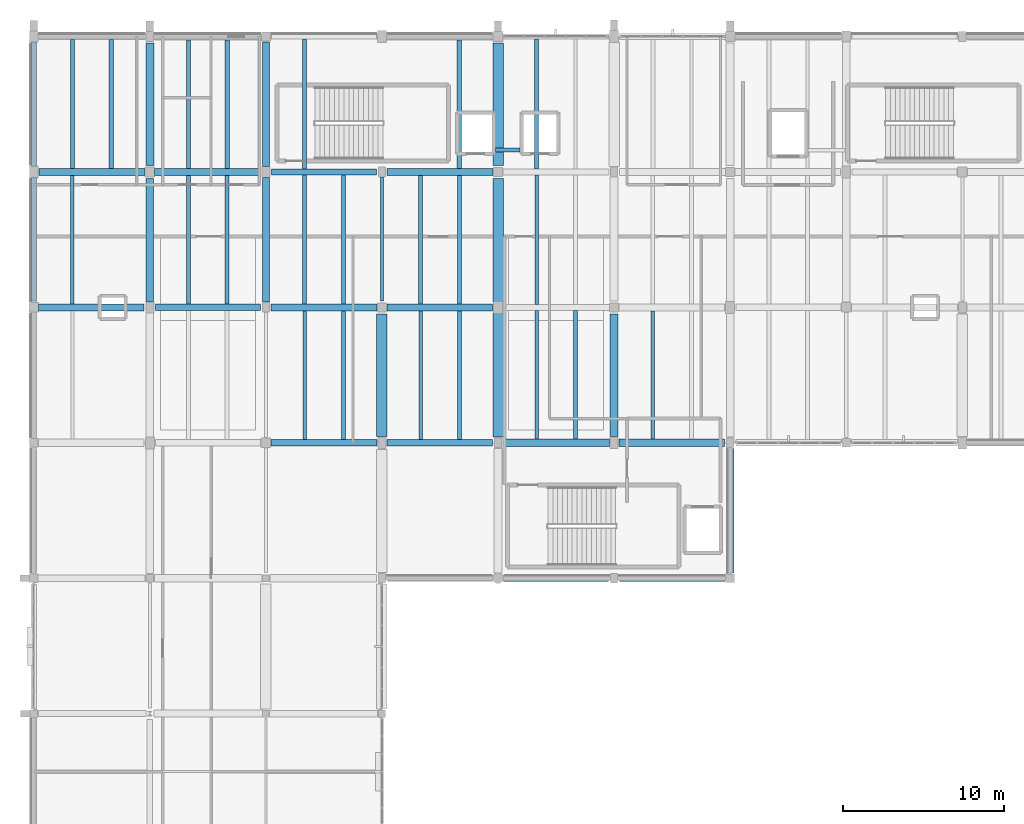
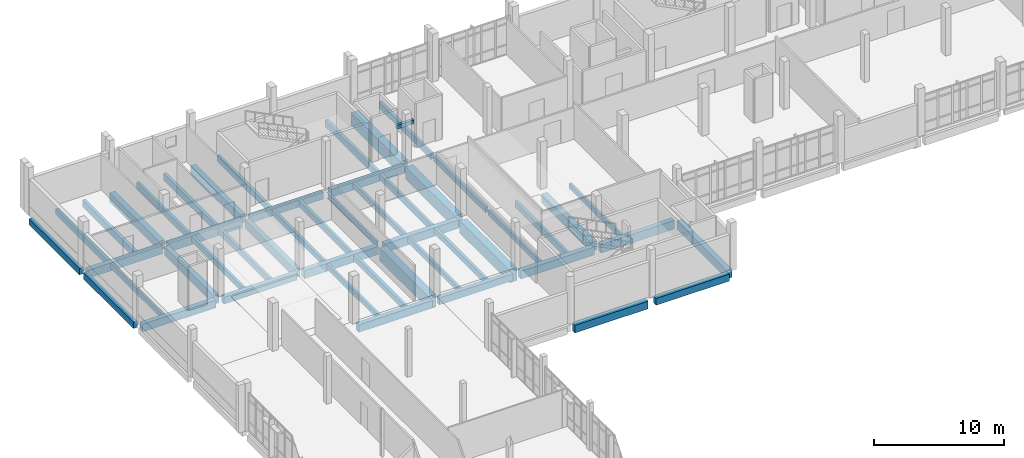
# One storey, part 27 of 62: 50 beams.
"""IFC4 building model written with IfcOpenShell, lengths in metres."""

import ifcopenshell
import ifcopenshell.guid

model = None  # the IFC model being written
_history = None  # IfcOwnerHistory: only IFC2X3 demands one
_inside = {}  # id of a spatial element -> (the spatial element, [elements in it])
_under = {}  # id of a project, library or spatial element -> (it, [spatial elements below it])
_declared = {}  # id of a project -> (the project, [libraries it declares])
_typed = {}  # id of a type object -> (the type object, [elements of that type])
_made_of = {}  # id of a material, layer set ... -> (it, [elements and type objects made of it])


def new_model(schema):
    """Start an empty IFC model of exactly this schema.

    Asked for "IFC4X3", IfcOpenShell would pick the latest addendum, in which some entities
    have other attributes; the version numbers below select the first issue.
    IFC2X3 requires an IfcOwnerHistory on every rooted entity: one is made here for all.
    """
    global model, _history
    if schema == "IFC4X3":
        model = ifcopenshell.file(schema_version=(4, 3, 0, 0))
    else:
        model = ifcopenshell.file(schema=schema)
    _inside.clear()
    _under.clear()
    _declared.clear()
    _typed.clear()
    _made_of.clear()
    _history = None
    if model.schema == "IFC2X3":
        org = make("IfcOrganization", Name="unknown")
        user = make(
            "IfcPersonAndOrganization",
            ThePerson=make("IfcPerson", FamilyName="unknown"),
            TheOrganization=org,
        )
        app = make(
            "IfcApplication",
            ApplicationDeveloper=org,
            Version="unknown",
            ApplicationFullName="unknown",
            ApplicationIdentifier="unknown",
        )
        _history = make(
            "IfcOwnerHistory",
            OwningUser=user,
            OwningApplication=app,
            ChangeAction="ADDED",
            CreationDate=0,
        )
    return model


def make(cls, **values):
    """One entity of the class cls with the attributes given. An attribute that is None is left unset."""
    return model.create_entity(
        cls, **{name: value for name, value in values.items() if value is not None}
    )


def rooted(cls, **values):
    """An entity with a GlobalId (a new one), such as an element, a storey or a relation."""
    return make(cls, GlobalId=ifcopenshell.guid.new(), OwnerHistory=_history, **values)


def si_unit(unit_type, name, prefix=None):
    """IfcSIUnit, for example si_unit("LENGTHUNIT", "METRE", prefix="MILLI")."""
    return make("IfcSIUnit", UnitType=unit_type, Prefix=prefix, Name=name)


def assignment(units):
    """IfcUnitAssignment: the units of a project."""
    return None if units is None else make("IfcUnitAssignment", Units=units)


def point(xyz):
    """IfcCartesianPoint."""
    return None if xyz is None else make("IfcCartesianPoint", Coordinates=xyz)


def direction(xyz):
    """IfcDirection."""
    return None if xyz is None else make("IfcDirection", DirectionRatios=xyz)


def frame(location, z_axis=None, x_axis=None):
    """IfcAxis2Placement3D, a coordinate frame: its origin and axes. An axis left out is left unset."""
    return make(
        "IfcAxis2Placement3D",
        Location=point(location),
        Axis=direction(z_axis),
        RefDirection=direction(x_axis),
    )


def frame_2d(location, x_axis=None):
    """IfcAxis2Placement2D, a coordinate frame in the plane: its origin and x axis."""
    return make(
        "IfcAxis2Placement2D", Location=point(location), RefDirection=direction(x_axis)
    )


def origin():
    """The frame at (0, 0, 0) with its axes left unset."""
    return frame((0.0, 0.0, 0.0))


def origin_2d():
    """The frame at (0, 0) in the plane with its x axis left unset."""
    return frame_2d((0.0, 0.0))


def place(relative_to, where):
    """IfcLocalPlacement: puts the frame where relative to a parent placement (None: the world)."""
    return make(
        "IfcLocalPlacement", PlacementRelTo=relative_to, RelativePlacement=where
    )


def context(
    kind, dimensions, precision=None, world=None, true_north=None, identifier=None
):
    """IfcGeometricRepresentationContext, for example the 3D "Model" context."""
    return make(
        "IfcGeometricRepresentationContext",
        ContextIdentifier=identifier,
        ContextType=kind,
        CoordinateSpaceDimension=dimensions,
        Precision=precision,
        WorldCoordinateSystem=world,
        TrueNorth=true_north,
    )


def subcontext(parent, identifier, kind, view, scale=None):
    """IfcGeometricRepresentationSubContext, for example "Body" below "Model"."""
    return make(
        "IfcGeometricRepresentationSubContext",
        ContextIdentifier=identifier,
        ContextType=kind,
        ParentContext=parent,
        TargetScale=scale,
        TargetView=view,
    )


def project(units=None, contexts=None):
    """IfcProject with its units and contexts."""
    return rooted(
        "IfcProject",
        Name="project",
        RepresentationContexts=contexts,
        UnitsInContext=assignment(units),
    )


def spatial(cls, under=None, at=None, **own):
    """A site, building, storey or space (cls), placed at a placement, below another one or the project."""
    s = rooted(cls, ObjectPlacement=at, **own)
    if under is not None:
        _under.setdefault(under.id(), (under, []))[1].append(s)
    return s


def profile(cls, at=None, kind="AREA", **sizes):
    """A parametric profile (cls). Its sizes go by their IFC names, for example OverallWidth=200.0."""
    return make(cls, ProfileType=kind, Position=at, **sizes)


def rectangle(**sizes):
    """IfcRectangleProfileDef."""
    return profile("IfcRectangleProfileDef", **sizes)


def i_section(**sizes):
    """IfcIShapeProfileDef."""
    return profile("IfcIShapeProfileDef", **sizes)


def extrude(swept, where, along, depth):
    """IfcExtrudedAreaSolid: the profile swept, set in the frame where, extruded along a direction by depth."""
    return make(
        "IfcExtrudedAreaSolid",
        SweptArea=swept,
        Position=where,
        ExtrudedDirection=direction(along),
        Depth=depth,
    )


def shape(context_of_items, identifier, shape_type, items):
    """IfcShapeRepresentation: the items that make up one representation, for example the "Body"."""
    return make(
        "IfcShapeRepresentation",
        ContextOfItems=context_of_items,
        RepresentationIdentifier=identifier,
        RepresentationType=shape_type,
        Items=items,
    )


def material(Name=None, Category=None):
    """IfcMaterial."""
    return make("IfcMaterial", Name=Name, Category=Category)


def material_profile(
    of_material, cross_section, Name=None, Category=None, Priority=None
):
    """IfcMaterialProfile: a cross section and its material."""
    return make(
        "IfcMaterialProfile",
        Name=Name,
        Material=of_material,
        Profile=cross_section,
        Priority=Priority,
        Category=Category,
    )


def profile_set(profiles, Name=None, composite=None):
    """IfcMaterialProfileSet."""
    return make(
        "IfcMaterialProfileSet",
        Name=Name,
        MaterialProfiles=profiles,
        CompositeProfile=composite,
    )


def made_of(thing, what):
    """Note that an element or type object is made of a material, layer set ...; save() writes the relation."""
    if what is not None:
        _made_of.setdefault(what.id(), (what, []))[1].append(thing)
    return thing


def type_object(cls, material=None, **own):
    """A type object (cls), such as IfcWallType, which elements share."""
    return made_of(rooted(cls, **own), material)


def element(
    cls,
    number,
    at=None,
    inside=None,
    cuts=None,
    type_object=None,
    material=None,
    context=None,
    identifier="Body",
    shape_type=None,
    held_by="IfcProductDefinitionShape",
    body=None,
    shapes=None,
    **own,
):
    """One element of the class cls, such as IfcWall. Its Tag is "e" and its number.

    at: its placement. inside: the storey or other place that contains it. cuts: it is an
    opening in that element (IfcRelVoidsElement). A single representation is given by context,
    identifier, shape_type and body (its items); several are given by shapes. held_by: the class
    of the entity that holds the representations. save() writes the other relations.
    """
    e = rooted(cls, Tag="e%d" % number, ObjectPlacement=at, **own)
    if body is not None:
        shapes = [shape(context, identifier, shape_type, body)]
    if shapes is not None:
        e.Representation = make(held_by, Representations=shapes)
    if inside is not None:
        _inside.setdefault(inside.id(), (inside, []))[1].append(e)
    if cuts is not None:
        rooted(
            "IfcRelVoidsElement", RelatingBuildingElement=cuts, RelatedOpeningElement=e
        )
    if type_object is not None:
        _typed.setdefault(type_object.id(), (type_object, []))[1].append(e)
    return made_of(e, material)


def aggregate(whole, parts):
    """IfcRelAggregates: a whole, such as a stair, and the parts it consists of."""
    return rooted("IfcRelAggregates", RelatingObject=whole, RelatedObjects=parts)


def save(model, path):
    """Write the relations noted so far, then the file.

    IfcRelAggregates (storeys below a building ...), IfcRelContainedInSpatialStructure (elements
    in a storey), IfcRelDefinesByType, IfcRelAssociatesMaterial and IfcRelDeclares: one each for
    every whole, place, type object, material and project.
    """
    for whole, parts in _under.values():
        aggregate(whole, parts)
    for where, things in _inside.values():
        rooted(
            "IfcRelContainedInSpatialStructure",
            RelatedElements=things,
            RelatingStructure=where,
        )
    for kind, things in _typed.values():
        rooted("IfcRelDefinesByType", RelatedObjects=things, RelatingType=kind)
    for what, things in _made_of.values():
        rooted("IfcRelAssociatesMaterial", RelatedObjects=things, RelatingMaterial=what)
    for by, libraries in _declared.values():
        rooted("IfcRelDeclares", RelatingContext=by, RelatedDefinitions=libraries)
    model.write(path)


model = new_model("IFC4")

# Units and contexts
model_context = context("Model", 3, precision=1e-05, world=origin(), true_north=direction((0.0, 1.0)))
body_context = subcontext(model_context, "Body", "Model", "MODEL_VIEW")
ifc_project = project(units=[si_unit("LENGTHUNIT", "METRE"), si_unit("AREAUNIT", "SQUARE_METRE"), si_unit("VOLUMEUNIT", "CUBIC_METRE"), si_unit("PLANEANGLEUNIT", "RADIAN"), si_unit("MASSUNIT", "GRAM", prefix="KILO")], contexts=[model_context])

# Site, building, storey
site_placement = place(None, origin())
site = spatial("IfcSite", under=ifc_project, at=site_placement, CompositionType="ELEMENT")
building_placement = place(site_placement, origin())
building = spatial("IfcBuilding", under=site, at=building_placement, Name="Kalluvel Institute of Natural Sciences", CompositionType="ELEMENT")
storey_placement = place(building_placement, frame((0.0, 0.0, 27.89990234375)))
storey = spatial("IfcBuildingStorey", under=building, at=storey_placement, Name="L06", CompositionType="ELEMENT", Elevation=27.89990234375)

# Beams
ifc_material_1 = material(Name="Steel E350 Grade 350", Category="steel")
ifc_material_profile_1 = material_profile(ifc_material_1, i_section(OverallWidth=0.18994140625, OverallDepth=0.550048828125, WebThickness=0.01123046875, FlangeThickness=0.019287109375, FilletRadius=0.01806640625, at=origin_2d()), Name="ISMB 550")
ifc_profile_set_1 = profile_set([ifc_material_profile_1], Name="Steel E350 Grade 350")
beam_type_1 = type_object("IfcBeamType", Name="BM-ISMB550", PredefinedType="BEAM", material=ifc_profile_set_1)
beam_1_placement = place(storey_placement, frame((35.60009765625, 111.60009765625, -0.594970703125), z_axis=(0.0, 1.0, 0.0), x_axis=(-1.0, 0.0, 0.0)))
element("IfcBeam", 1, at=beam_1_placement, inside=storey, type_object=beam_type_1, Name="L06 girder GIR-L06-NS-X356-Y1112", PredefinedType="BEAM", context=body_context, shape_type="SweptSolid", body=[
    extrude(i_section(OverallWidth=0.18994140625, OverallDepth=0.550048828125, WebThickness=0.01123046875, FlangeThickness=0.019287109375, FilletRadius=0.01806640625, at=origin_2d()), origin(), (0.0, 0.0, 1.0), 7.6748046875),
])
ifc_material_2 = material(Name="Concrete M40", Category="concrete")
ifc_material_profile_2 = material_profile(ifc_material_2, rectangle(XDim=0.3798828125, YDim=0.639892578125, at=origin_2d()), Name="RCB 380x640")
ifc_profile_set_2 = profile_set([ifc_material_profile_2], Name="Concrete M40")
beam_type_2 = type_object("IfcBeamType", Name="BM-RC380x640", PredefinedType="BEAM", material=ifc_profile_set_2)
beam_2_placement = place(storey_placement, frame((28.75, 119.60009765625, -0.639892578125), z_axis=(1.0, 0.0, 0.0), x_axis=(0.0, 1.0, 0.0)))
element("IfcBeam", 2, at=beam_2_placement, inside=storey, type_object=beam_type_2, Name="L06 girder GIR-L06-EW-X284-Y1196", PredefinedType="BEAM", context=body_context, shape_type="SweptSolid", body=[
    extrude(rectangle(XDim=0.3798828125, YDim=0.639892578125, at=origin_2d()), origin(), (0.0, 0.0, 1.0), 6.52490234375),
])
ifc_material_profile_3 = material_profile(ifc_material_2, rectangle(XDim=0.39990234375, YDim=0.64990234375, at=origin_2d()), Name="RCB 400x650")
ifc_profile_set_3 = profile_set([ifc_material_profile_3], Name="Concrete M40")
beam_type_3 = type_object("IfcBeamType", Name="BM-RC400x650", PredefinedType="BEAM", material=ifc_profile_set_3)
beam_3_placement = place(storey_placement, frame((50.35009765625, 94.39990234375, -0.64501953125), z_axis=(1.0, 0.0, 0.0), x_axis=(0.0, 1.0, 0.0)))
element("IfcBeam", 3, at=beam_3_placement, inside=storey, type_object=beam_type_3, Name="L06 girder GIR-L06-EW-X500-Y944", PredefinedType="BEAM", context=body_context, shape_type="SweptSolid", body=[
    extrude(rectangle(XDim=0.39990234375, YDim=0.64990234375, at=origin_2d()), origin(), (0.0, 0.0, 1.0), 6.52490234375),
])
beam_4_placement = place(storey_placement, frame((35.89990234375, 102.800048828125, -0.64501953125), z_axis=(1.0, 0.0, 0.0), x_axis=(0.0, 1.0, 0.0)))
element("IfcBeam", 4, at=beam_4_placement, inside=storey, type_object=beam_type_3, Name="L06 girder GIR-L06-EW-X356-Y1028", PredefinedType="BEAM", context=body_context, shape_type="SweptSolid", body=[
    extrude(rectangle(XDim=0.39990234375, YDim=0.64990234375, at=origin_2d()), origin(), (0.0, 0.0, 1.0), 6.550048828125),
])
beam_5_placement = place(storey_placement, frame((21.550048828125, 111.199951171875, -0.64501953125), z_axis=(1.0, 0.0, 0.0), x_axis=(0.0, 1.0, 0.0)))
element("IfcBeam", 5, at=beam_5_placement, inside=storey, type_object=beam_type_3, Name="L06 girder GIR-L06-EW-X212-Y1112", PredefinedType="BEAM", context=body_context, shape_type="SweptSolid", body=[
    extrude(rectangle(XDim=0.39990234375, YDim=0.64990234375, at=origin_2d()), origin(), (0.0, 0.0, 1.0), 6.52490234375),
])
ifc_material_profile_4 = material_profile(ifc_material_2, rectangle(XDim=0.419921875, YDim=0.719970703125, at=origin_2d()), Name="RCB 420x720")
ifc_profile_set_4 = profile_set([ifc_material_profile_4], Name="Concrete M40")
beam_type_4 = type_object("IfcBeamType", Name="BM-RC420x720", PredefinedType="BEAM", material=ifc_profile_set_4)
beam_6_placement = place(storey_placement, frame((43.125, 94.39990234375, -0.679931640625), z_axis=(1.0, 0.0, 0.0), x_axis=(0.0, 1.0, 0.0)))
element("IfcBeam", 6, at=beam_6_placement, inside=storey, type_object=beam_type_4, Name="L06 girder GIR-L06-EW-X428-Y944", PredefinedType="BEAM", context=body_context, shape_type="SweptSolid", body=[
    extrude(rectangle(XDim=0.419921875, YDim=0.719970703125, at=origin_2d()), origin(), (0.0, 0.0, 1.0), 6.52490234375),
])
beam_7_placement = place(storey_placement, frame((28.72509765625, 102.800048828125, -0.679931640625), z_axis=(1.0, 0.0, 0.0), x_axis=(0.0, 1.0, 0.0)))
element("IfcBeam", 7, at=beam_7_placement, inside=storey, type_object=beam_type_4, Name="L06 girder GIR-L06-EW-X284-Y1028", PredefinedType="BEAM", context=body_context, shape_type="SweptSolid", body=[
    extrude(rectangle(XDim=0.419921875, YDim=0.719970703125, at=origin_2d()), origin(), (0.0, 0.0, 1.0), 6.574951171875),
])
beam_8_placement = place(storey_placement, frame((14.300048828125, 111.199951171875, -0.679931640625), z_axis=(1.0, 0.0, 0.0), x_axis=(0.0, 1.0, 0.0)))
element("IfcBeam", 8, at=beam_8_placement, inside=storey, type_object=beam_type_4, Name="L06 girder GIR-L06-EW-X140-Y1112", PredefinedType="BEAM", context=body_context, shape_type="SweptSolid", body=[
    extrude(rectangle(XDim=0.419921875, YDim=0.719970703125, at=origin_2d()), origin(), (0.0, 0.0, 1.0), 6.550048828125),
])
beam_9_placement = place(storey_placement, frame((35.925048828125, 119.60009765625, -0.679931640625), z_axis=(1.0, 0.0, 0.0), x_axis=(0.0, 1.0, 0.0)))
element("IfcBeam", 9, at=beam_9_placement, inside=storey, type_object=beam_type_4, Name="L06 girder GIR-L06-EW-X356-Y1196", PredefinedType="BEAM", context=body_context, shape_type="SweptSolid", body=[
    extrude(rectangle(XDim=0.419921875, YDim=0.719970703125, at=origin_2d()), origin(), (0.0, 0.0, 1.0), 6.574951171875),
])
ifc_material_profile_5 = material_profile(ifc_material_2, rectangle(XDim=0.449951171875, YDim=0.75, at=origin_2d()), Name="RCB 450x750")
ifc_profile_set_5 = profile_set([ifc_material_profile_5], Name="Concrete M40")
beam_type_5 = type_object("IfcBeamType", Name="BM-RC450x750", PredefinedType="BEAM", material=ifc_profile_set_5)
beam_10_placement = place(storey_placement, frame((43.14990234375, 102.800048828125, -0.69482421875), z_axis=(1.0, 0.0, 0.0), x_axis=(0.0, 1.0, 0.0)))
element("IfcBeam", 10, at=beam_10_placement, inside=storey, type_object=beam_type_5, Name="L06 girder GIR-L06-EW-X428-Y1028", PredefinedType="BEAM", context=body_context, shape_type="SweptSolid", body=[
    extrude(rectangle(XDim=0.449951171875, YDim=0.75, at=origin_2d()), origin(), (0.0, 0.0, 1.0), 6.550048828125),
])
for number, where, z_axis, x_axis, name in (
    (11, (28.72509765625, 111.199951171875, -0.69482421875), (1.0, 0.0, 0.0), (0.0, 1.0, 0.0), "L06 girder GIR-L06-EW-X284-Y1112"),
    (12, (14.324951171875, 119.60009765625, -0.69482421875), (1.0, 0.0, 0.0), (0.0, 1.0, 0.0), "L06 girder GIR-L06-EW-X140-Y1196"),
):
    element("IfcBeam", number, at=place(storey_placement, frame(where, z_axis=z_axis, x_axis=x_axis)), inside=storey, type_object=beam_type_5, Name=name, PredefinedType="BEAM", context=body_context, shape_type="SweptSolid", body=[
        extrude(rectangle(XDim=0.449951171875, YDim=0.75, at=origin_2d()), origin(), (0.0, 0.0, 1.0), 6.574951171875),
    ])
ifc_material_profile_6 = material_profile(ifc_material_2, rectangle(XDim=0.449951171875, YDim=0.800048828125, at=origin_2d()), Name="RCB 450x800")
ifc_profile_set_6 = profile_set([ifc_material_profile_6], Name="Concrete M40")
beam_type_6 = type_object("IfcBeamType", Name="BM-RC450x800", PredefinedType="BEAM", material=ifc_profile_set_6)
for number, where, z_axis, x_axis, name in (
    (13, (50.300048828125, 102.800048828125, -0.719970703125), (1.0, 0.0, 0.0), (0.0, 1.0, 0.0), "L06 girder GIR-L06-EW-X500-Y1028"),
    (14, (35.89990234375, 111.199951171875, -0.719970703125), (1.0, 0.0, 0.0), (0.0, 1.0, 0.0), "L06 girder GIR-L06-EW-X356-Y1112"),
    (15, (21.5, 119.60009765625, -0.719970703125), (1.0, 0.0, 0.0), (0.0, 1.0, 0.0), "L06 girder GIR-L06-EW-X212-Y1196"),
):
    element("IfcBeam", number, at=place(storey_placement, frame(where, z_axis=z_axis, x_axis=x_axis)), inside=storey, type_object=beam_type_6, Name=name, PredefinedType="BEAM", context=body_context, shape_type="SweptSolid", body=[
        extrude(rectangle(XDim=0.449951171875, YDim=0.800048828125, at=origin_2d()), origin(), (0.0, 0.0, 1.0), 6.550048828125),
    ])
beam_11_placement = place(storey_placement, frame((21.199951171875, 111.550048828125, -0.719970703125), z_axis=(0.0, 1.0, 0.0), x_axis=(-1.0, 0.0, 0.0)))
element("IfcBeam", 16, at=beam_11_placement, inside=storey, type_object=beam_type_6, Name="L06 girder GIR-L06-NS-X212-Y1112", PredefinedType="BEAM", context=body_context, shape_type="SweptSolid", body=[
    extrude(rectangle(XDim=0.449951171875, YDim=0.800048828125, at=origin_2d()), origin(), (0.0, 0.0, 1.0), 7.64990234375),
])
beam_12_placement = place(storey_placement, frame((28.39990234375, 111.52490234375, -0.719970703125), z_axis=(0.0, 1.0, 0.0), x_axis=(-1.0, 0.0, 0.0)))
element("IfcBeam", 17, at=beam_12_placement, inside=storey, type_object=beam_type_6, Name="L06 girder GIR-L06-NS-X284-Y1112", PredefinedType="BEAM", context=body_context, shape_type="SweptSolid", body=[
    extrude(rectangle(XDim=0.449951171875, YDim=0.800048828125, at=origin_2d()), origin(), (0.0, 0.0, 1.0), 7.72509765625),
])
beam_13_placement = place(storey_placement, frame((28.39990234375, 119.949951171875, -0.719970703125), z_axis=(0.0, 1.0, 0.0), x_axis=(-1.0, 0.0, 0.0)))
element("IfcBeam", 18, at=beam_13_placement, inside=storey, type_object=beam_type_6, Name="L06 girder GIR-L06-NS-X284-Y1196", PredefinedType="BEAM", context=body_context, shape_type="SweptSolid", body=[
    extrude(rectangle(XDim=0.449951171875, YDim=0.800048828125, at=origin_2d()), origin(), (0.0, 0.0, 1.0), 7.699951171875),
])
beam_14_placement = place(storey_placement, frame((57.199951171875, 94.72509765625, -0.719970703125), z_axis=(0.0, 1.0, 0.0), x_axis=(-1.0, 0.0, 0.0)))
element("IfcBeam", 19, at=beam_14_placement, inside=storey, type_object=beam_type_6, Name="L06 girder GIR-L06-NS-X572-Y944", PredefinedType="BEAM", context=body_context, shape_type="SweptSolid", body=[
    extrude(rectangle(XDim=0.449951171875, YDim=0.800048828125, at=origin_2d()), origin(), (0.0, 0.0, 1.0), 7.724853515625),
])
ifc_material_3 = material(Name="Concrete M50", Category="concrete")
ifc_material_profile_7 = material_profile(ifc_material_3, rectangle(XDim=0.5, YDim=0.85009765625, at=origin_2d()), Name="RCB 500x850")
ifc_profile_set_7 = profile_set([ifc_material_profile_7], Name="Concrete M50")
beam_type_7 = type_object("IfcBeamType", Name="BM-RC500x850", PredefinedType="BEAM", material=ifc_profile_set_7)
for number, where, z_axis, x_axis, name in (
    (20, (21.199951171875, 120.0, -0.744873046875), (0.0, 1.0, 0.0), (-1.0, 0.0, 0.0), "L06 girder GIR-L06-NS-X212-Y1196"),
    (21, (50.0, 103.199951171875, -0.744873046875), (0.0, 1.0, 0.0), (-1.0, 0.0, 0.0), "L06 girder GIR-L06-NS-X500-Y1028"),
):
    element("IfcBeam", number, at=place(storey_placement, frame(where, z_axis=z_axis, x_axis=x_axis)), inside=storey, type_object=beam_type_7, Name=name, PredefinedType="BEAM", context=body_context, shape_type="SweptSolid", body=[
        extrude(rectangle(XDim=0.5, YDim=0.85009765625, at=origin_2d()), origin(), (0.0, 0.0, 1.0), 7.60009765625),
    ])
ifc_material_profile_8 = material_profile(ifc_material_3, rectangle(XDim=0.64990234375, YDim=1.199951171875, at=origin_2d()), Name="RCB 650x1200")
ifc_profile_set_8 = profile_set([ifc_material_profile_8], Name="Concrete M50")
beam_type_8 = type_object("IfcBeamType", Name="BM-RC650x1200", PredefinedType="BEAM", material=ifc_profile_set_8)
beam_15_placement = place(storey_placement, frame((35.60009765625, 103.199951171875, -0.919921875), z_axis=(0.0, 1.0, 0.0), x_axis=(-1.0, 0.0, 0.0)))
element("IfcBeam", 22, at=beam_15_placement, inside=storey, type_object=beam_type_8, Name="L06 girder GIR-L06-NS-X356-Y1028", PredefinedType="BEAM", context=body_context, shape_type="SweptSolid", body=[
    extrude(rectangle(XDim=0.64990234375, YDim=1.199951171875, at=origin_2d()), origin(), (0.0, 0.0, 1.0), 7.60009765625),
])
beam_16_placement = place(storey_placement, frame((42.800048828125, 103.14990234375, -0.919921875), z_axis=(0.0, 1.0, 0.0), x_axis=(-1.0, 0.0, 0.0)))
element("IfcBeam", 23, at=beam_16_placement, inside=storey, type_object=beam_type_8, Name="L06 girder GIR-L06-NS-X428-Y1028", PredefinedType="BEAM", context=body_context, shape_type="SweptSolid", body=[
    extrude(rectangle(XDim=0.64990234375, YDim=1.199951171875, at=origin_2d()), origin(), (0.0, 0.0, 1.0), 7.7001953125),
])
beam_17_placement = place(storey_placement, frame((42.800048828125, 111.550048828125, -0.919921875), z_axis=(0.0, 1.0, 0.0), x_axis=(-1.0, 0.0, 0.0)))
element("IfcBeam", 24, at=beam_17_placement, inside=storey, type_object=beam_type_8, Name="L06 girder GIR-L06-NS-X428-Y1112", PredefinedType="BEAM", context=body_context, shape_type="SweptSolid", body=[
    extrude(rectangle(XDim=0.64990234375, YDim=1.199951171875, at=origin_2d()), origin(), (0.0, 0.0, 1.0), 7.64990234375),
])
beam_18_placement = place(storey_placement, frame((42.800048828125, 120.0, -0.919921875), z_axis=(0.0, 1.0, 0.0), x_axis=(-1.0, 0.0, 0.0)))
element("IfcBeam", 25, at=beam_18_placement, inside=storey, type_object=beam_type_8, Name="L06 girder GIR-L06-NS-X428-Y1196", PredefinedType="BEAM", context=body_context, shape_type="SweptSolid", body=[
    extrude(rectangle(XDim=0.64990234375, YDim=1.199951171875, at=origin_2d()), origin(), (0.0, 0.0, 1.0), 7.60009765625),
])
ifc_material_4 = material(Name="Sadarahalli Granite Precast Concrete M45", Category="masonry")
ifc_material_profile_9 = material_profile(ifc_material_4, rectangle(XDim=0.25, YDim=0.35009765625, at=origin_2d()), Name="LIN 250x350")
ifc_profile_set_9 = profile_set([ifc_material_profile_9], Name="Sadarahalli Granite Precast Concrete M45")
beam_type_9 = type_object("IfcBeamType", Name="LN-250x350-EXT", PredefinedType="LINTEL", material=ifc_profile_set_9)
beam_19_placement = place(storey_placement, frame((42.639892578125, 120.949951171875, 2.35009765625), z_axis=(1.0, 0.0, 0.0), x_axis=(0.0, 1.0, 0.0)))
element("IfcBeam", 26, at=beam_19_placement, inside=storey, type_object=beam_type_9, Name="L06 lift-core coupling lintel A", PredefinedType="LINTEL", context=body_context, shape_type="SweptSolid", body=[
    extrude(rectangle(XDim=0.25, YDim=0.35009765625, at=origin_2d()), origin(), (0.0, 0.0, 1.0), 1.52001953125),
])
ifc_material_profile_10 = material_profile(ifc_material_2, rectangle(XDim=0.35009765625, YDim=0.60009765625, at=origin_2d()), Name="RCB 350x600")
ifc_profile_set_10 = profile_set([ifc_material_profile_10], Name="Concrete M40")
beam_type_10 = type_object("IfcBeamType", Name="SP-RC350x600", PredefinedType="SPANDREL", material=ifc_profile_set_10)
beam_20_placement = place(storey_placement, frame((14.0, 111.60009765625, -0.619873046875), z_axis=(0.0, 1.0, 0.0), x_axis=(-1.0, 0.0, 0.0)))
element("IfcBeam", 27, at=beam_20_placement, inside=storey, type_object=beam_type_10, Name="L06 girder GIR-L06-NS-X140-Y1112", PredefinedType="SPANDREL", context=body_context, shape_type="SweptSolid", body=[
    extrude(rectangle(XDim=0.35009765625, YDim=0.60009765625, at=origin_2d()), origin(), (0.0, 0.0, 1.0), 7.6748046875),
])
beam_21_placement = place(storey_placement, frame((14.0, 119.925048828125, -0.619873046875), z_axis=(0.0, 1.0, 0.0), x_axis=(-1.0, 0.0, 0.0)))
element("IfcBeam", 28, at=beam_21_placement, inside=storey, type_object=beam_type_10, Name="L06 girder GIR-L06-NS-X140-Y1196", PredefinedType="SPANDREL", context=body_context, shape_type="SweptSolid", body=[
    extrude(rectangle(XDim=0.35009765625, YDim=0.60009765625, at=origin_2d()), origin(), (0.0, 0.0, 1.0), 7.75),
])
ifc_material_profile_11 = material_profile(ifc_material_2, rectangle(XDim=0.219970703125, YDim=0.5, at=origin_2d()), Name="WAF 220x500")
ifc_profile_set_11 = profile_set([ifc_material_profile_11], Name="Concrete M40")
beam_type_11 = type_object("IfcBeamType", Name="WJ-220x500", PredefinedType="JOIST", material=ifc_profile_set_11)
for number, where, z_axis, x_axis, name in (
    (29, (16.39990234375, 111.409912109375, -0.56982421875), (0.0, 1.0, 0.0), (-1.0, 0.0, 0.0), "L06 waffle joist RIB-L06-0444"),
    (30, (30.800048828125, 103.010009765625, -0.56982421875), (0.0, 1.0, 0.0), (-1.0, 0.0, 0.0), "L06 waffle joist RIB-L06-0453"),
):
    element("IfcBeam", number, at=place(storey_placement, frame(where, z_axis=z_axis, x_axis=x_axis)), inside=storey, type_object=beam_type_11, Name=name, PredefinedType="JOIST", context=body_context, shape_type="SweptSolid", body=[
        extrude(rectangle(XDim=0.219970703125, YDim=0.5, at=origin_2d()), origin(), (0.0, 0.0, 1.0), 7.965087890625),
    ])
beam_22_placement = place(storey_placement, frame((38.0, 103.0, -0.56982421875), z_axis=(0.0, 1.0, 0.0), x_axis=(-1.0, 0.0, 0.0)))
element("IfcBeam", 31, at=beam_22_placement, inside=storey, type_object=beam_type_11, Name="L06 waffle joist RIB-L06-0458", PredefinedType="JOIST", context=body_context, shape_type="SweptSolid", body=[
    extrude(rectangle(XDim=0.219970703125, YDim=0.5, at=origin_2d()), origin(), (0.0, 0.0, 1.0), 7.97509765625),
])
beam_23_placement = place(storey_placement, frame((45.199951171875, 103.02490234375, -0.56982421875), z_axis=(0.0, 1.0, 0.0), x_axis=(-1.0, 0.0, 0.0)))
element("IfcBeam", 32, at=beam_23_placement, inside=storey, type_object=beam_type_11, Name="L06 waffle joist RIB-L06-0463", PredefinedType="JOIST", context=body_context, shape_type="SweptSolid", body=[
    extrude(rectangle(XDim=0.219970703125, YDim=0.5, at=origin_2d()), origin(), (0.0, 0.0, 1.0), 7.985107421875),
])
beam_24_placement = place(storey_placement, frame((52.39990234375, 103.02490234375, -0.56982421875), z_axis=(0.0, 1.0, 0.0), x_axis=(-1.0, 0.0, 0.0)))
element("IfcBeam", 33, at=beam_24_placement, inside=storey, type_object=beam_type_11, Name="L06 waffle joist RIB-L06-0469", PredefinedType="JOIST", context=body_context, shape_type="SweptSolid", body=[
    extrude(rectangle(XDim=0.219970703125, YDim=0.5, at=origin_2d()), origin(), (0.0, 0.0, 1.0), 7.965087890625),
])
ifc_material_profile_12 = material_profile(ifc_material_2, rectangle(XDim=0.239990234375, YDim=0.52001953125, at=origin_2d()), Name="WAF 240x520")
ifc_profile_set_12 = profile_set([ifc_material_profile_12], Name="Concrete M40")
beam_type_12 = type_object("IfcBeamType", Name="WJ-240x520", PredefinedType="JOIST", material=ifc_profile_set_12)
beam_25_placement = place(storey_placement, frame((23.60009765625, 111.39990234375, -0.579833984375), z_axis=(0.0, 1.0, 0.0), x_axis=(-1.0, 0.0, 0.0)))
element("IfcBeam", 34, at=beam_25_placement, inside=storey, type_object=beam_type_12, Name="L06 waffle joist RIB-L06-0449", PredefinedType="JOIST", context=body_context, shape_type="SweptSolid", body=[
    extrude(rectangle(XDim=0.239990234375, YDim=0.52001953125, at=origin_2d()), origin(), (0.0, 0.0, 1.0), 7.97509765625),
])
beam_26_placement = place(storey_placement, frame((30.800048828125, 111.425048828125, -0.579833984375), z_axis=(0.0, 1.0, 0.0), x_axis=(-1.0, 0.0, 0.0)))
element("IfcBeam", 35, at=beam_26_placement, inside=storey, type_object=beam_type_12, Name="L06 waffle joist RIB-L06-0455", PredefinedType="JOIST", context=body_context, shape_type="SweptSolid", body=[
    extrude(rectangle(XDim=0.239990234375, YDim=0.52001953125, at=origin_2d()), origin(), (0.0, 0.0, 1.0), 7.98486328125),
])
beam_27_placement = place(storey_placement, frame((38.0, 111.425048828125, -0.579833984375), z_axis=(0.0, 1.0, 0.0), x_axis=(-1.0, 0.0, 0.0)))
element("IfcBeam", 36, at=beam_27_placement, inside=storey, type_object=beam_type_12, Name="L06 waffle joist RIB-L06-0460", PredefinedType="JOIST", context=body_context, shape_type="SweptSolid", body=[
    extrude(rectangle(XDim=0.239990234375, YDim=0.52001953125, at=origin_2d()), origin(), (0.0, 0.0, 1.0), 7.96484375),
])
beam_28_placement = place(storey_placement, frame((45.199951171875, 111.389892578125, -0.579833984375), z_axis=(0.0, 1.0, 0.0), x_axis=(-1.0, 0.0, 0.0)))
element("IfcBeam", 37, at=beam_28_placement, inside=storey, type_object=beam_type_12, Name="L06 waffle joist RIB-L06-0465", PredefinedType="JOIST", context=body_context, shape_type="SweptSolid", body=[
    extrude(rectangle(XDim=0.239990234375, YDim=0.52001953125, at=origin_2d()), origin(), (0.0, 0.0, 1.0), 8.010009765625),
])
ifc_material_profile_13 = material_profile(ifc_material_2, rectangle(XDim=0.25, YDim=0.550048828125, at=origin_2d()), Name="WAF 250x550")
ifc_profile_set_13 = profile_set([ifc_material_profile_13], Name="Concrete M40")
beam_type_13 = type_object("IfcBeamType", Name="WJ-250x550", PredefinedType="JOIST", material=ifc_profile_set_13)
beam_29_placement = place(storey_placement, frame((16.39990234375, 119.824951171875, -0.594970703125), z_axis=(0.0, 1.0, 0.0), x_axis=(-1.0, 0.0, 0.0)))
element("IfcBeam", 38, at=beam_29_placement, inside=storey, type_object=beam_type_13, Name="L06 waffle joist RIB-L06-0445", PredefinedType="JOIST", context=body_context, shape_type="SweptSolid", body=[
    extrude(rectangle(XDim=0.25, YDim=0.550048828125, at=origin_2d()), origin(), (0.0, 0.0, 1.0), 8.0),
])
beam_30_placement = place(storey_placement, frame((33.199951171875, 103.010009765625, -0.594970703125), z_axis=(0.0, 1.0, 0.0), x_axis=(-1.0, 0.0, 0.0)))
element("IfcBeam", 39, at=beam_30_placement, inside=storey, type_object=beam_type_13, Name="L06 waffle joist RIB-L06-0454", PredefinedType="JOIST", context=body_context, shape_type="SweptSolid", body=[
    extrude(rectangle(XDim=0.25, YDim=0.550048828125, at=origin_2d()), origin(), (0.0, 0.0, 1.0), 7.965087890625),
])
beam_31_placement = place(storey_placement, frame((40.39990234375, 103.0, -0.594970703125), z_axis=(0.0, 1.0, 0.0), x_axis=(-1.0, 0.0, 0.0)))
element("IfcBeam", 40, at=beam_31_placement, inside=storey, type_object=beam_type_13, Name="L06 waffle joist RIB-L06-0459", PredefinedType="JOIST", context=body_context, shape_type="SweptSolid", body=[
    extrude(rectangle(XDim=0.25, YDim=0.550048828125, at=origin_2d()), origin(), (0.0, 0.0, 1.0), 7.97509765625),
])
ifc_material_profile_14 = material_profile(ifc_material_2, rectangle(XDim=0.25, YDim=0.60009765625, at=origin_2d()), Name="WAF 250x600")
ifc_profile_set_14 = profile_set([ifc_material_profile_14], Name="Concrete M40")
beam_type_14 = type_object("IfcBeamType", Name="WJ-250x600", PredefinedType="JOIST", material=ifc_profile_set_14)
for number, where, z_axis, x_axis, name in (
    (41, (26.0, 111.39990234375, -0.619873046875), (0.0, 1.0, 0.0), (-1.0, 0.0, 0.0), "L06 waffle joist RIB-L06-0450"),
    (42, (23.60009765625, 119.824951171875, -0.619873046875), (0.0, 1.0, 0.0), (-1.0, 0.0, 0.0), "L06 waffle joist RIB-L06-0451"),
):
    element("IfcBeam", number, at=place(storey_placement, frame(where, z_axis=z_axis, x_axis=x_axis)), inside=storey, type_object=beam_type_14, Name=name, PredefinedType="JOIST", context=body_context, shape_type="SweptSolid", body=[
        extrude(rectangle(XDim=0.25, YDim=0.60009765625, at=origin_2d()), origin(), (0.0, 0.0, 1.0), 7.97509765625),
    ])
beam_32_placement = place(storey_placement, frame((33.199951171875, 111.425048828125, -0.619873046875), z_axis=(0.0, 1.0, 0.0), x_axis=(-1.0, 0.0, 0.0)))
element("IfcBeam", 43, at=beam_32_placement, inside=storey, type_object=beam_type_14, Name="L06 waffle joist RIB-L06-0456", PredefinedType="JOIST", context=body_context, shape_type="SweptSolid", body=[
    extrude(rectangle(XDim=0.25, YDim=0.60009765625, at=origin_2d()), origin(), (0.0, 0.0, 1.0), 7.98486328125),
])
beam_33_placement = place(storey_placement, frame((30.800048828125, 119.7900390625, -0.619873046875), z_axis=(0.0, 1.0, 0.0), x_axis=(-1.0, 0.0, 0.0)))
element("IfcBeam", 44, at=beam_33_placement, inside=storey, type_object=beam_type_14, Name="L06 waffle joist RIB-L06-0457", PredefinedType="JOIST", context=body_context, shape_type="SweptSolid", body=[
    extrude(rectangle(XDim=0.25, YDim=0.60009765625, at=origin_2d()), origin(), (0.0, 0.0, 1.0), 8.06005859375),
])
beam_34_placement = place(storey_placement, frame((40.39990234375, 111.425048828125, -0.619873046875), z_axis=(0.0, 1.0, 0.0), x_axis=(-1.0, 0.0, 0.0)))
element("IfcBeam", 45, at=beam_34_placement, inside=storey, type_object=beam_type_14, Name="L06 waffle joist RIB-L06-0461", PredefinedType="JOIST", context=body_context, shape_type="SweptSolid", body=[
    extrude(rectangle(XDim=0.25, YDim=0.60009765625, at=origin_2d()), origin(), (0.0, 0.0, 1.0), 7.96484375),
])
beam_35_placement = place(storey_placement, frame((47.60009765625, 103.02490234375, -0.619873046875), z_axis=(0.0, 1.0, 0.0), x_axis=(-1.0, 0.0, 0.0)))
element("IfcBeam", 46, at=beam_35_placement, inside=storey, type_object=beam_type_14, Name="L06 waffle joist RIB-L06-0464", PredefinedType="JOIST", context=body_context, shape_type="SweptSolid", body=[
    extrude(rectangle(XDim=0.25, YDim=0.60009765625, at=origin_2d()), origin(), (0.0, 0.0, 1.0), 7.985107421875),
])
beam_36_placement = place(storey_placement, frame((45.199951171875, 119.800048828125, -0.619873046875), z_axis=(0.0, 1.0, 0.0), x_axis=(-1.0, 0.0, 0.0)))
element("IfcBeam", 47, at=beam_36_placement, inside=storey, type_object=beam_type_14, Name="L06 waffle joist RIB-L06-0467", PredefinedType="JOIST", context=body_context, shape_type="SweptSolid", body=[
    extrude(rectangle(XDim=0.25, YDim=0.60009765625, at=origin_2d()), origin(), (0.0, 0.0, 1.0), 8.050048828125),
])
ifc_material_profile_15 = material_profile(ifc_material_3, rectangle(XDim=0.280029296875, YDim=0.64990234375, at=origin_2d()), Name="WAF 280x650")
ifc_profile_set_15 = profile_set([ifc_material_profile_15], Name="Concrete M50")
beam_type_15 = type_object("IfcBeamType", Name="WJ-280x650", PredefinedType="JOIST", material=ifc_profile_set_15)
beam_37_placement = place(storey_placement, frame((18.800048828125, 119.824951171875, -0.64501953125), z_axis=(0.0, 1.0, 0.0), x_axis=(-1.0, 0.0, 0.0)))
element("IfcBeam", 48, at=beam_37_placement, inside=storey, type_object=beam_type_15, Name="L06 waffle joist RIB-L06-0446", PredefinedType="JOIST", context=body_context, shape_type="SweptSolid", body=[
    extrude(rectangle(XDim=0.280029296875, YDim=0.64990234375, at=origin_2d()), origin(), (0.0, 0.0, 1.0), 8.0),
])
beam_38_placement = place(storey_placement, frame((26.0, 119.824951171875, -0.64501953125), z_axis=(0.0, 1.0, 0.0), x_axis=(-1.0, 0.0, 0.0)))
element("IfcBeam", 49, at=beam_38_placement, inside=storey, type_object=beam_type_15, Name="L06 waffle joist RIB-L06-0452", PredefinedType="JOIST", context=body_context, shape_type="SweptSolid", body=[
    extrude(rectangle(XDim=0.280029296875, YDim=0.64990234375, at=origin_2d()), origin(), (0.0, 0.0, 1.0), 7.97509765625),
])
beam_39_placement = place(storey_placement, frame((40.39990234375, 119.81005859375, -0.64501953125), z_axis=(0.0, 1.0, 0.0), x_axis=(-1.0, 0.0, 0.0)))
element("IfcBeam", 50, at=beam_39_placement, inside=storey, type_object=beam_type_15, Name="L06 waffle joist RIB-L06-0462", PredefinedType="JOIST", context=body_context, shape_type="SweptSolid", body=[
    extrude(rectangle(XDim=0.280029296875, YDim=0.64990234375, at=origin_2d()), origin(), (0.0, 0.0, 1.0), 7.989990234375),
])

save(model, "model.ifc")
